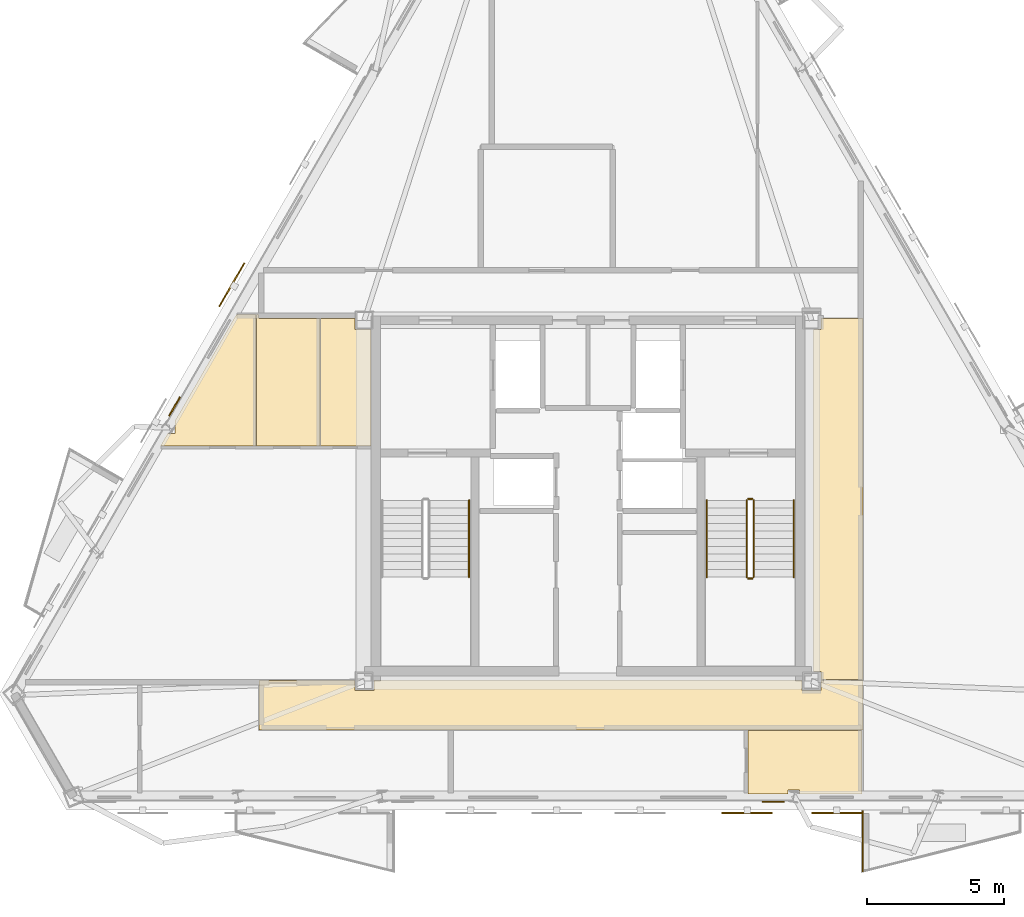
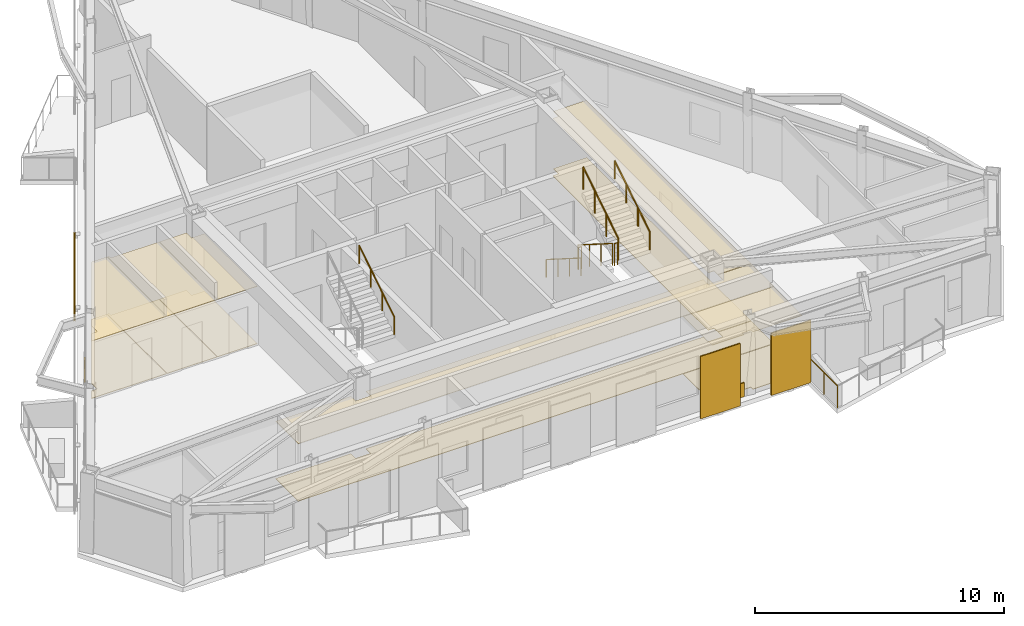
# One storey, part 8 of 9: 14 coverings, 8 railings, 3 shading devices.
"""IFC4 building model written with IfcOpenShell, lengths in metres."""

from ifc_helpers import new_model, si_unit, direction, frame, origin, origin_2d, place, context, subcontext, project, spatial, polyline, rectangle, circle, outline, extrude, material, layer, layer_set, type_object, element, save


model = new_model("IFC4")

# Units and contexts
model_context = context("Model", 3, precision=1e-05, world=origin(), true_north=direction((0.0, 1.0)))
body_context = subcontext(model_context, "Body", "Model", "MODEL_VIEW")
ifc_project = project(units=[si_unit("LENGTHUNIT", "METRE"), si_unit("AREAUNIT", "SQUARE_METRE"), si_unit("VOLUMEUNIT", "CUBIC_METRE"), si_unit("PLANEANGLEUNIT", "RADIAN"), si_unit("MASSUNIT", "GRAM", prefix="KILO")], contexts=[model_context])

# Site, building, storey
site_placement = place(None, origin())
site = spatial("IfcSite", under=ifc_project, at=site_placement, CompositionType="ELEMENT")
building_placement = place(site_placement, origin())
building = spatial("IfcBuilding", under=site, at=building_placement, Name="Oramaril Tower", CompositionType="ELEMENT")
storey_placement = place(building_placement, frame((0.0, 0.0, 285.0)))
storey = spatial("IfcBuildingStorey", under=building, at=storey_placement, Name="L75", CompositionType="ELEMENT", Elevation=285.0)

# Coverings
ifc_material_1 = material(Name="Mineral Fibre Acoustic Ceiling")
ifc_layer_1 = layer(ifc_material_1, 0.02001953125)
ifc_layer_set_1 = layer_set([ifc_layer_1], Name="CVT-CEIL")
covering_type_1 = type_object("IfcCoveringType", Name="CVT-CEIL", PredefinedType="CEILING", material=ifc_layer_set_1)
covering_1_placement = place(storey_placement, frame((0.0, 0.0, 2.81201171875)))
element("IfcCovering", 1, at=covering_1_placement, inside=storey, type_object=covering_type_1, Name="L75 Acoustic Suspended Ceiling 1", PredefinedType="CEILING", context=body_context, shape_type="SweptSolid", body=[
    extrude(outline(polyline([(29.0048828125, 10.655029296875), (29.695068359375, 10.655029296875), (29.695068359375, 11.030029296875), (45.304931640625, 11.030029296875), (45.304931640625, 10.655029296875), (45.9951171875, 10.655029296875), (45.9951171875, 11.030029296875), (47.530029296875, 11.030029296875), (47.530029296875, 9.219970703125), (25.52001953125, 9.219970703125), (25.52001953125, 11.030029296875), (29.0048828125, 11.030029296875), (29.0048828125, 10.655029296875)])), origin(), (0.0, 0.0, 1.0), 0.02001953125),
])
covering_2_placement = place(storey_placement, frame((0.0, 0.0, 2.81201171875)))
element("IfcCovering", 2, at=covering_2_placement, inside=storey, type_object=covering_type_1, Name="L75 Acoustic Suspended Ceiling 3", PredefinedType="CEILING", context=body_context, shape_type="SweptSolid", body=[
    extrude(outline(polyline([(47.530029296875, 11.050048828125), (45.9951171875, 11.050048828125), (45.9951171875, 11.344970703125), (45.719970703125, 11.344970703125), (45.719970703125, 23.804931640625), (45.9951171875, 23.804931640625), (45.9951171875, 24.219970703125), (47.530029296875, 24.219970703125), (47.530029296875, 11.050048828125)])), origin(), (0.0, 0.0, 1.0), 0.02001953125),
])
covering_3_placement = place(storey_placement, frame((0.0, 0.0, 2.81201171875)))
element("IfcCovering", 3, at=covering_3_placement, inside=storey, type_object=covering_type_1, Name="L75 Acoustic Suspended Ceiling 8", PredefinedType="CEILING", context=body_context, shape_type="SweptSolid", body=[
    extrude(outline(polyline([(45.211669921875, 7.033935546875), (44.789794921875, 7.033935546875), (44.789794921875, 6.877685546875), (43.325927734375, 6.877685546875), (43.325927734375, 9.199951171875), (47.491943359375, 9.199951171875), (47.491943359375, 6.877685546875), (45.211669921875, 6.877685546875), (45.211669921875, 7.033935546875)])), origin(), (0.0, 0.0, 1.0), 0.02001953125),
])
covering_4_placement = place(storey_placement, frame((0.0, 0.0, 2.81201171875)))
element("IfcCovering", 4, at=covering_4_placement, inside=storey, type_object=covering_type_1, Name="L75 Acoustic Suspended Ceiling 10", PredefinedType="CEILING", context=body_context, shape_type="SweptSolid", body=[
    extrude(outline(polyline([(22.45947265625, 20.0302734375), (22.45947265625, 20.479736328125), (22.451416015625, 20.479736328125), (24.69287109375, 24.362060546875), (25.400390625, 24.362060546875), (25.400390625, 19.56884765625), (21.925537109375, 19.56884765625), (22.19189453125, 20.0302734375), (22.45947265625, 20.0302734375)])), origin(), (0.0, 0.0, 1.0), 0.02001953125),
])
covering_5_placement = place(storey_placement, frame((0.0, 0.0, 2.81201171875)))
element("IfcCovering", 5, at=covering_5_placement, inside=storey, type_object=covering_type_1, Name="L75 Acoustic Suspended Ceiling 11", PredefinedType="CEILING", context=body_context, shape_type="SweptSolid", body=[
    extrude(outline(polyline([(25.5, 24.362060546875), (25.5, 24.239990234375), (25.5, 24.238037109375), (25.50048828125, 24.236083984375), (25.5009765625, 24.234130859375), (25.50146484375, 24.232421875), (25.50244140625, 24.230712890625), (25.50341796875, 24.22900390625), (25.50439453125, 24.227294921875), (25.505859375, 24.225830078125), (25.50732421875, 24.224609375), (25.5087890625, 24.223388671875), (25.510498046875, 24.222412109375), (25.51220703125, 24.221435546875), (25.51416015625, 24.220947265625), (25.51611328125, 24.220458984375), (25.51806640625, 24.22021484375), (25.52001953125, 24.219970703125), (27.73193359375, 24.219970703125), (27.73193359375, 19.56884765625), (25.42041015625, 19.56884765625), (25.42041015625, 24.362060546875), (25.5, 24.362060546875)])), origin(), (0.0, 0.0, 1.0), 0.02001953125),
])
covering_6_placement = place(storey_placement, frame((0.0, 0.0, 2.81201171875)))
element("IfcCovering", 6, at=covering_6_placement, inside=storey, type_object=covering_type_1, Name="L75 Acoustic Suspended Ceiling 12", PredefinedType="CEILING", context=body_context, shape_type="SweptSolid", body=[
    extrude(outline(polyline([(29.0048828125, 23.804931640625), (29.60009765625, 23.804931640625), (29.60009765625, 19.56884765625), (27.751953125, 19.56884765625), (27.751953125, 24.219970703125), (29.0048828125, 24.219970703125), (29.0048828125, 23.804931640625)])), origin(), (0.0, 0.0, 1.0), 0.02001953125),
])
ifc_material_2 = material(Name="Warm Cream Limestone", Category="masonry")
ifc_layer_2 = layer(ifc_material_2, 0.050048828125)
ifc_layer_set_2 = layer_set([ifc_layer_2], Name="CVT-CLD")
covering_type_2 = type_object("IfcCoveringType", Name="CVT-CLD", PredefinedType="CLADDING", material=ifc_layer_set_2)
for number, where, z_axis, x_axis, name in (
    (7, (44.24658203125, 6.601806640625, 0.0400390625), (0.0, 0.0, 1.0), (1.0, 0.0, 0.0), "L75 Warm Cream Limestone Spandrel Cladding"),
    (8, (22.43701171875, 21.006591796875, 0.0400390625), (0.0, 0.0, 1.0), (-0.5, -0.866025403784, 0.0), "L75 Warm Cream Limestone Spandrel Cladding"),
):
    element("IfcCovering", number, at=place(storey_placement, frame(where, z_axis=z_axis, x_axis=x_axis)), inside=storey, type_object=covering_type_2, Name=name, PredefinedType="CLADDING", context=body_context, shape_type="SweptSolid", body=[
        extrude(rectangle(XDim=0.800048828125, YDim=0.050048828125, at=origin_2d()), origin(), (0.0, 0.0, 1.0), 0.679931640625),
    ])
ifc_material_3 = material(Name="Honed Quartzite Stone Flooring", Category="masonry")
ifc_layer_3 = layer(ifc_material_3, 0.02490234375)
ifc_layer_set_3 = layer_set([ifc_layer_3], Name="CVT-FLR")
covering_type_3 = type_object("IfcCoveringType", Name="CVT-FLR", PredefinedType="FLOORING", material=ifc_layer_set_3)
covering_7_placement = place(storey_placement, origin())
element("IfcCovering", 9, at=covering_7_placement, inside=storey, type_object=covering_type_3, Name="L75 Honed Stone Floor Finish 1", PredefinedType="FLOORING", context=body_context, shape_type="SweptSolid", body=[
    extrude(outline(polyline([(29.0048828125, 10.655029296875), (29.695068359375, 10.655029296875), (29.695068359375, 11.030029296875), (45.304931640625, 11.030029296875), (45.304931640625, 10.655029296875), (45.9951171875, 10.655029296875), (45.9951171875, 11.030029296875), (47.530029296875, 11.030029296875), (47.530029296875, 9.219970703125), (25.52001953125, 9.219970703125), (25.52001953125, 11.030029296875), (29.0048828125, 11.030029296875), (29.0048828125, 10.655029296875)])), origin(), (0.0, 0.0, 1.0), 0.02490234375),
])
covering_8_placement = place(storey_placement, origin())
element("IfcCovering", 10, at=covering_8_placement, inside=storey, type_object=covering_type_3, Name="L75 Honed Stone Floor Finish 3", PredefinedType="FLOORING", context=body_context, shape_type="SweptSolid", body=[
    extrude(outline(polyline([(47.530029296875, 11.050048828125), (45.9951171875, 11.050048828125), (45.9951171875, 11.344970703125), (45.719970703125, 11.344970703125), (45.719970703125, 23.804931640625), (45.9951171875, 23.804931640625), (45.9951171875, 24.219970703125), (47.530029296875, 24.219970703125), (47.530029296875, 11.050048828125)])), origin(), (0.0, 0.0, 1.0), 0.02490234375),
])
covering_9_placement = place(storey_placement, origin())
element("IfcCovering", 11, at=covering_9_placement, inside=storey, type_object=covering_type_3, Name="L75 Honed Stone Floor Finish 8", PredefinedType="FLOORING", context=body_context, shape_type="SweptSolid", body=[
    extrude(outline(polyline([(45.211669921875, 7.033935546875), (44.789794921875, 7.033935546875), (44.789794921875, 6.877685546875), (43.325927734375, 6.877685546875), (43.325927734375, 9.199951171875), (47.491943359375, 9.199951171875), (47.491943359375, 6.877685546875), (45.211669921875, 6.877685546875), (45.211669921875, 7.033935546875)])), origin(), (0.0, 0.0, 1.0), 0.02490234375),
])
covering_10_placement = place(storey_placement, origin())
element("IfcCovering", 12, at=covering_10_placement, inside=storey, type_object=covering_type_3, Name="L75 Honed Stone Floor Finish 10", PredefinedType="FLOORING", context=body_context, shape_type="SweptSolid", body=[
    extrude(outline(polyline([(22.45947265625, 20.0302734375), (22.45947265625, 20.479736328125), (22.451416015625, 20.479736328125), (24.69287109375, 24.362060546875), (25.400390625, 24.362060546875), (25.400390625, 19.56884765625), (21.925537109375, 19.56884765625), (22.19189453125, 20.0302734375), (22.45947265625, 20.0302734375)])), origin(), (0.0, 0.0, 1.0), 0.02490234375),
])
covering_11_placement = place(storey_placement, origin())
element("IfcCovering", 13, at=covering_11_placement, inside=storey, type_object=covering_type_3, Name="L75 Honed Stone Floor Finish 11", PredefinedType="FLOORING", context=body_context, shape_type="SweptSolid", body=[
    extrude(outline(polyline([(25.5, 24.362060546875), (25.5, 24.239990234375), (25.5, 24.238037109375), (25.50048828125, 24.236083984375), (25.5009765625, 24.234130859375), (25.50146484375, 24.232421875), (25.50244140625, 24.230712890625), (25.50341796875, 24.22900390625), (25.50439453125, 24.227294921875), (25.505859375, 24.225830078125), (25.50732421875, 24.224609375), (25.5087890625, 24.223388671875), (25.510498046875, 24.222412109375), (25.51220703125, 24.221435546875), (25.51416015625, 24.220947265625), (25.51611328125, 24.220458984375), (25.51806640625, 24.22021484375), (25.52001953125, 24.219970703125), (27.73193359375, 24.219970703125), (27.73193359375, 19.56884765625), (25.42041015625, 19.56884765625), (25.42041015625, 24.362060546875), (25.5, 24.362060546875)])), origin(), (0.0, 0.0, 1.0), 0.02490234375),
])
covering_12_placement = place(storey_placement, origin())
element("IfcCovering", 14, at=covering_12_placement, inside=storey, type_object=covering_type_3, Name="L75 Honed Stone Floor Finish 12", PredefinedType="FLOORING", context=body_context, shape_type="SweptSolid", body=[
    extrude(outline(polyline([(29.0048828125, 23.804931640625), (29.60009765625, 23.804931640625), (29.60009765625, 19.56884765625), (27.751953125, 19.56884765625), (27.751953125, 24.219970703125), (29.0048828125, 24.219970703125), (29.0048828125, 23.804931640625)])), origin(), (0.0, 0.0, 1.0), 0.02490234375),
])

# Railings
ifc_material_4 = material(Name="Stainless Steel 316L", Category="steel")
railing_type_1 = type_object("IfcRailingType", Name="RLT-GRD", PredefinedType="GUARDRAIL", material=ifc_material_4)
railing_1_placement = place(storey_placement, frame((47.51611328125, 4.069580078125, 0.0)))
element("IfcRailing", 15, at=railing_1_placement, inside=storey, type_object=railing_type_1, Name="L75 Balcony Guardrail L75-BAL-S2.3", PredefinedType="GUARDRAIL", context=body_context, shape_type="SweptSolid", body=[
    extrude(circle(Radius=0.02392578125, at=origin_2d()), frame((0.0, 0.0, 1.076171875), z_axis=(0.0, 1.0, 0.0), x_axis=(-1.0, 0.0, 0.0)), (0.0, 0.0, 1.0), 2.192138671875),
    extrude(circle(Radius=0.02099609375, at=origin_2d()), origin(), (0.0, 0.0, 1.0), 1.052001953125),
    extrude(circle(Radius=0.02099609375, at=origin_2d()), frame((0.0, 1.09619140625, 0.0)), (0.0, 0.0, 1.0), 1.052001953125),
    extrude(circle(Radius=0.02099609375, at=origin_2d()), frame((0.0, 2.192138671875, 0.0)), (0.0, 0.0, 1.0), 1.052001953125),
])
railing_2_placement = place(storey_placement, frame((43.2900390625, 17.590087890625, 0.17724609375)))
element("IfcRailing", 16, at=railing_2_placement, inside=storey, type_object=railing_type_1, Name="L75 ST-2 stair guard 1", PredefinedType="GUARDRAIL", context=body_context, shape_type="SweptSolid", body=[
    extrude(circle(Radius=0.02392578125, at=origin_2d()), frame((0.0, 0.0, 1.076171875), z_axis=(0.0, -0.844908973607, 0.534910110503), x_axis=(1.0, 0.0, 0.0)), (0.0, 0.0, 1.0), 3.31396484375),
    extrude(circle(Radius=0.02099609375, at=origin_2d()), origin(), (0.0, 0.0, 1.0), 1.052001953125),
    extrude(circle(Radius=0.02099609375, at=origin_2d()), frame((0.0, -0.933349609375, 0.5908203125)), (0.0, 0.0, 1.0), 1.052001953125),
    extrude(circle(Radius=0.02099609375, at=origin_2d()), frame((0.0, -1.86669921875, 1.181884765625)), (0.0, 0.0, 1.0), 1.052001953125),
    extrude(circle(Radius=0.02099609375, at=origin_2d()), frame((0.0, -2.800048828125, 1.772705078125)), (0.0, 0.0, 1.0), 1.052001953125),
])
railing_3_placement = place(storey_placement, frame((43.340087890625, 14.739990234375, 1.949951171875)))
element("IfcRailing", 17, at=railing_3_placement, inside=storey, type_object=railing_type_1, Name="L75 ST-2 stair guard 2", PredefinedType="GUARDRAIL", context=body_context, shape_type="SweptSolid", body=[
    extrude(circle(Radius=0.02392578125, at=origin_2d()), frame((0.0, 0.0, 1.076171875), z_axis=(1.0, 0.0, 0.0), x_axis=(0.0, 1.0, 0.0)), (0.0, 0.0, 1.0), 0.14990234375),
    extrude(circle(Radius=0.02099609375, at=origin_2d()), origin(), (0.0, 0.0, 1.0), 1.052001953125),
    extrude(circle(Radius=0.02099609375, at=origin_2d()), frame((0.14990234375, 0.0, 0.0)), (0.0, 0.0, 1.0), 1.052001953125),
])
railing_4_placement = place(storey_placement, frame((43.5400390625, 14.7900390625, 2.127197265625)))
element("IfcRailing", 18, at=railing_4_placement, inside=storey, type_object=railing_type_1, Name="L75 ST-2 stair guard 3", PredefinedType="GUARDRAIL", context=body_context, shape_type="SweptSolid", body=[
    extrude(circle(Radius=0.02392578125, at=origin_2d()), frame((0.0, 0.0, 1.076171875), z_axis=(0.0, 0.844908973607, 0.534910110503), x_axis=(-1.0, 0.0, 0.0)), (0.0, 0.0, 1.0), 3.31396484375),
    extrude(circle(Radius=0.02099609375, at=origin_2d()), origin(), (0.0, 0.0, 1.0), 1.052001953125),
    extrude(circle(Radius=0.02099609375, at=origin_2d()), frame((0.0, 0.933349609375, 0.5908203125)), (0.0, 0.0, 1.0), 1.052001953125),
    extrude(circle(Radius=0.02099609375, at=origin_2d()), frame((0.0, 1.86669921875, 1.181884765625)), (0.0, 0.0, 1.0), 1.052001953125),
    extrude(circle(Radius=0.02099609375, at=origin_2d()), frame((0.0, 2.800048828125, 1.772705078125)), (0.0, 0.0, 1.0), 1.052001953125),
])
railing_5_placement = place(storey_placement, frame((43.340087890625, 17.639892578125, 0.0)))
element("IfcRailing", 19, at=railing_5_placement, inside=storey, type_object=railing_type_1, Name="L75 ST-2 stair guard 4", PredefinedType="GUARDRAIL", context=body_context, shape_type="SweptSolid", body=[
    extrude(circle(Radius=0.02392578125, at=origin_2d()), frame((0.0, 0.0, 1.076171875), z_axis=(1.0, 0.0, 0.0), x_axis=(0.0, 1.0, 0.0)), (0.0, 0.0, 1.0), 0.14990234375),
    extrude(circle(Radius=0.02099609375, at=origin_2d()), origin(), (0.0, 0.0, 1.0), 1.052001953125),
    extrude(circle(Radius=0.02099609375, at=origin_2d()), frame((0.14990234375, 0.0, 0.0)), (0.0, 0.0, 1.0), 1.052001953125),
])
ifc_material_5 = material(Name="Stainless Steel 316L", Category="steel")
railing_type_2 = type_object("IfcRailingType", Name="RLT-HND", PredefinedType="HANDRAIL", material=ifc_material_5)
railing_6_placement = place(storey_placement, frame((33.169921875, 14.7900390625, 2.127197265625)))
element("IfcRailing", 20, at=railing_6_placement, inside=storey, type_object=railing_type_2, Name="L75 ST-1 stair handrail 2", PredefinedType="HANDRAIL", context=body_context, shape_type="SweptSolid", body=[
    extrude(circle(Radius=0.02392578125, at=origin_2d()), frame((0.0, 0.0, 0.8759765625), z_axis=(0.0, 0.844908973607, 0.534910110503), x_axis=(-1.0, 0.0, 0.0)), (0.0, 0.0, 1.0), 3.31396484375),
    extrude(circle(Radius=0.02099609375, at=origin_2d()), origin(), (0.0, 0.0, 1.0), 0.851806640625),
    extrude(circle(Radius=0.02099609375, at=origin_2d()), frame((0.0, 0.933349609375, 0.5908203125)), (0.0, 0.0, 1.0), 0.851806640625),
    extrude(circle(Radius=0.02099609375, at=origin_2d()), frame((0.0, 1.86669921875, 1.181884765625)), (0.0, 0.0, 1.0), 0.851806640625),
    extrude(circle(Radius=0.02099609375, at=origin_2d()), frame((0.0, 2.800048828125, 1.772705078125)), (0.0, 0.0, 1.0), 0.851806640625),
])
railing_7_placement = place(storey_placement, frame((41.830078125, 17.590087890625, 0.17724609375)))
element("IfcRailing", 21, at=railing_7_placement, inside=storey, type_object=railing_type_2, Name="L75 ST-2 stair handrail 1", PredefinedType="HANDRAIL", context=body_context, shape_type="SweptSolid", body=[
    extrude(circle(Radius=0.02392578125, at=origin_2d()), frame((0.0, 0.0, 0.8759765625), z_axis=(0.0, -0.844908973607, 0.534910110503), x_axis=(1.0, 0.0, 0.0)), (0.0, 0.0, 1.0), 3.31396484375),
    extrude(circle(Radius=0.02099609375, at=origin_2d()), origin(), (0.0, 0.0, 1.0), 0.851806640625),
    extrude(circle(Radius=0.02099609375, at=origin_2d()), frame((0.0, -0.933349609375, 0.5908203125)), (0.0, 0.0, 1.0), 0.851806640625),
    extrude(circle(Radius=0.02099609375, at=origin_2d()), frame((0.0, -1.86669921875, 1.181884765625)), (0.0, 0.0, 1.0), 0.851806640625),
    extrude(circle(Radius=0.02099609375, at=origin_2d()), frame((0.0, -2.800048828125, 1.772705078125)), (0.0, 0.0, 1.0), 0.851806640625),
])
railing_8_placement = place(storey_placement, frame((45.0, 14.7900390625, 2.127197265625)))
element("IfcRailing", 22, at=railing_8_placement, inside=storey, type_object=railing_type_2, Name="L75 ST-2 stair handrail 2", PredefinedType="HANDRAIL", context=body_context, shape_type="SweptSolid", body=[
    extrude(circle(Radius=0.02392578125, at=origin_2d()), frame((0.0, 0.0, 0.8759765625), z_axis=(0.0, 0.844908973607, 0.534910110503), x_axis=(-1.0, 0.0, 0.0)), (0.0, 0.0, 1.0), 3.31396484375),
    extrude(circle(Radius=0.02099609375, at=origin_2d()), origin(), (0.0, 0.0, 1.0), 0.851806640625),
    extrude(circle(Radius=0.02099609375, at=origin_2d()), frame((0.0, 0.933349609375, 0.5908203125)), (0.0, 0.0, 1.0), 0.851806640625),
    extrude(circle(Radius=0.02099609375, at=origin_2d()), frame((0.0, 1.86669921875, 1.181884765625)), (0.0, 0.0, 1.0), 0.851806640625),
    extrude(circle(Radius=0.02099609375, at=origin_2d()), frame((0.0, 2.800048828125, 1.772705078125)), (0.0, 0.0, 1.0), 0.851806640625),
])

# Shading devices
for number, where, z_axis, x_axis, name in (
    (23, (43.299072265625, 6.189697265625, -0.02001953125), (0.0, 0.0, 1.0), (1.0, 0.0, 0.0), "L75 Perforated Ceramic Solar Screen"),
    (24, (46.56591796875, 6.189697265625, -0.02001953125), (0.0, 0.0, 1.0), (1.0, 0.0, 0.0), "L75 Perforated Ceramic Solar Screen"),
    (25, (24.523681640625, 25.44482421875, -0.02001953125), (0.0, 0.0, 1.0), (-0.5, -0.866025403784, 0.0), "L75 Perforated Ceramic Solar Screen"),
):
    element("IfcShadingDevice", number, at=place(storey_placement, frame(where, z_axis=z_axis, x_axis=x_axis)), inside=storey, Name=name, ObjectType="SCREEN", PredefinedType="USERDEFINED", context=body_context, shape_type="SweptSolid", body=[
        extrude(rectangle(XDim=1.8330078125, YDim=0.050048828125, at=origin_2d()), origin(), (0.0, 0.0, 1.0), 3.05810546875),
    ])

save(model, "model.ifc")
